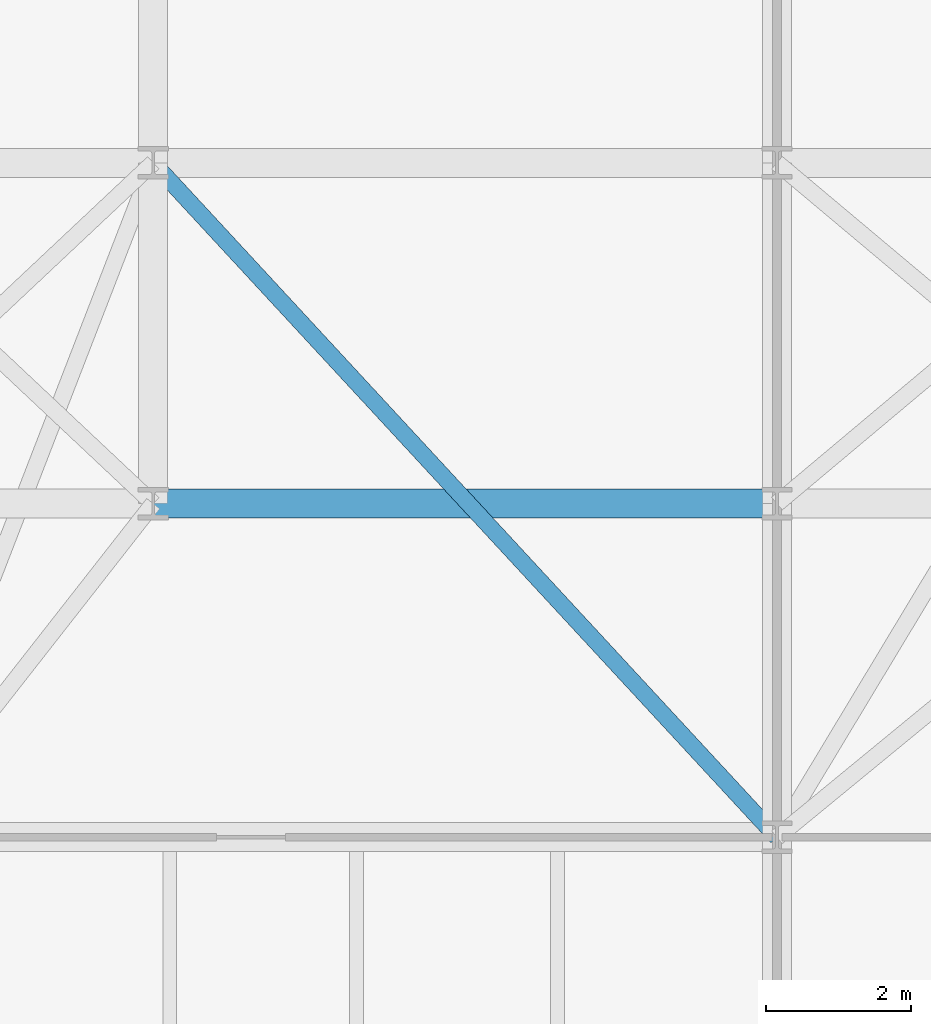
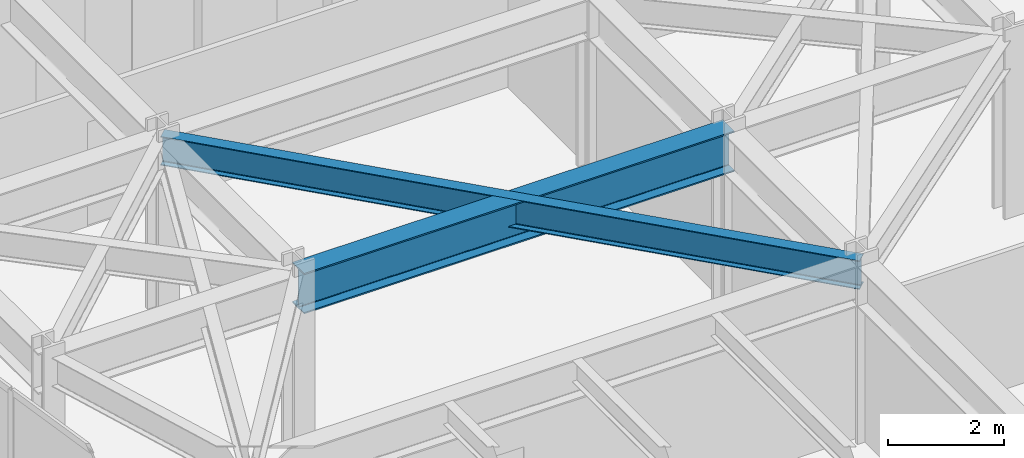
# One storey, part 10 of 26: 2 beams.
"""IFC4 building model written with IfcOpenShell, lengths in metres."""

from ifc_helpers import new_model, si_unit, direction, frame, origin, origin_2d, place, context, subcontext, project, spatial, i_section, extrude, material, material_profile, profile_set, type_object, element, save


model = new_model("IFC4")

# Units and contexts
model_context = context("Model", 3, precision=1e-05, world=origin(), true_north=direction((0.0, 1.0)))
body_context = subcontext(model_context, "Body", "Model", "MODEL_VIEW")
ifc_project = project(units=[si_unit("LENGTHUNIT", "METRE"), si_unit("AREAUNIT", "SQUARE_METRE"), si_unit("VOLUMEUNIT", "CUBIC_METRE"), si_unit("PLANEANGLEUNIT", "RADIAN"), si_unit("MASSUNIT", "GRAM", prefix="KILO")], contexts=[model_context])

# Site, building, storey
site_placement = place(None, origin())
site = spatial("IfcSite", under=ifc_project, at=site_placement, CompositionType="ELEMENT")
building_placement = place(site_placement, origin())
building = spatial("IfcBuilding", under=site, at=building_placement, Name="Kravanh Interchange Tower", CompositionType="ELEMENT")
storey_placement = place(building_placement, frame((0.0, 0.0, 144.0)))
storey = spatial("IfcBuildingStorey", under=building, at=storey_placement, Name="L34", CompositionType="ELEMENT", Elevation=144.0)

# Beams
ifc_material_1 = material(Name="Structural Steel S355", Category="steel")
ifc_material_profile_1 = material_profile(ifc_material_1, i_section(OverallWidth=0.39990234375, OverallDepth=0.85595703125, WebThickness=0.018310546875, FlangeThickness=0.029296875, FilletRadius=0.02490234375, at=origin_2d()), Name="W33X201")
ifc_profile_set_1 = profile_set([ifc_material_profile_1], Name="Structural Steel S355")
beam_type_1 = type_object("IfcBeamType", Name="Floor Beam W33X201 Structural Steel S355", PredefinedType="BEAM", material=ifc_profile_set_1)
beam_1_placement = place(storey_placement, frame((18.60009765625, 26.800048828125, 3.322021484375), z_axis=(1.0, 0.0, 0.0), x_axis=(0.0, 1.0, 0.0)))
element("IfcBeam", 1, at=beam_1_placement, inside=storey, type_object=beam_type_1, Name="L34 Primary Floor Girder 44", PredefinedType="BEAM", context=body_context, shape_type="SweptSolid", body=[
    extrude(i_section(OverallWidth=0.39990234375, OverallDepth=0.85595703125, WebThickness=0.018310546875, FlangeThickness=0.029296875, FilletRadius=0.02490234375, at=origin_2d()), origin(), (0.0, 0.0, 1.0), 8.599853515625),
])
ifc_material_2 = material(Name="Structural Steel S355", Category="steel")
ifc_material_profile_2 = material_profile(ifc_material_2, i_section(OverallWidth=0.22802734375, OverallDepth=0.60791015625, WebThickness=0.01123046875, FlangeThickness=0.017333984375, FilletRadius=0.02197265625, at=origin_2d()), Name="W24X76")
ifc_profile_set_2 = profile_set([ifc_material_profile_2], Name="Structural Steel S355")
beam_type_2 = type_object("IfcBeamType", Name="Floor Spandrel W24X76 Structural Steel S355", PredefinedType="SPANDREL", material=ifc_profile_set_2)
beam_2_placement = place(storey_placement, frame((18.60009765625, 31.5, 3.446044921875), z_axis=(0.678927458783, -0.734205356634, 0.0), x_axis=(0.734205356634, 0.678927458783, 0.0)))
element("IfcBeam", 2, at=beam_2_placement, inside=storey, type_object=beam_type_2, Name="L34 Perimeter Spandrel 73", PredefinedType="SPANDREL", context=body_context, shape_type="SweptSolid", body=[
    extrude(i_section(OverallWidth=0.22802734375, OverallDepth=0.60791015625, WebThickness=0.01123046875, FlangeThickness=0.017333984375, FilletRadius=0.02197265625, at=origin_2d()), origin(), (0.0, 0.0, 1.0), 12.666748046875),
])

save(model, "model.ifc")
